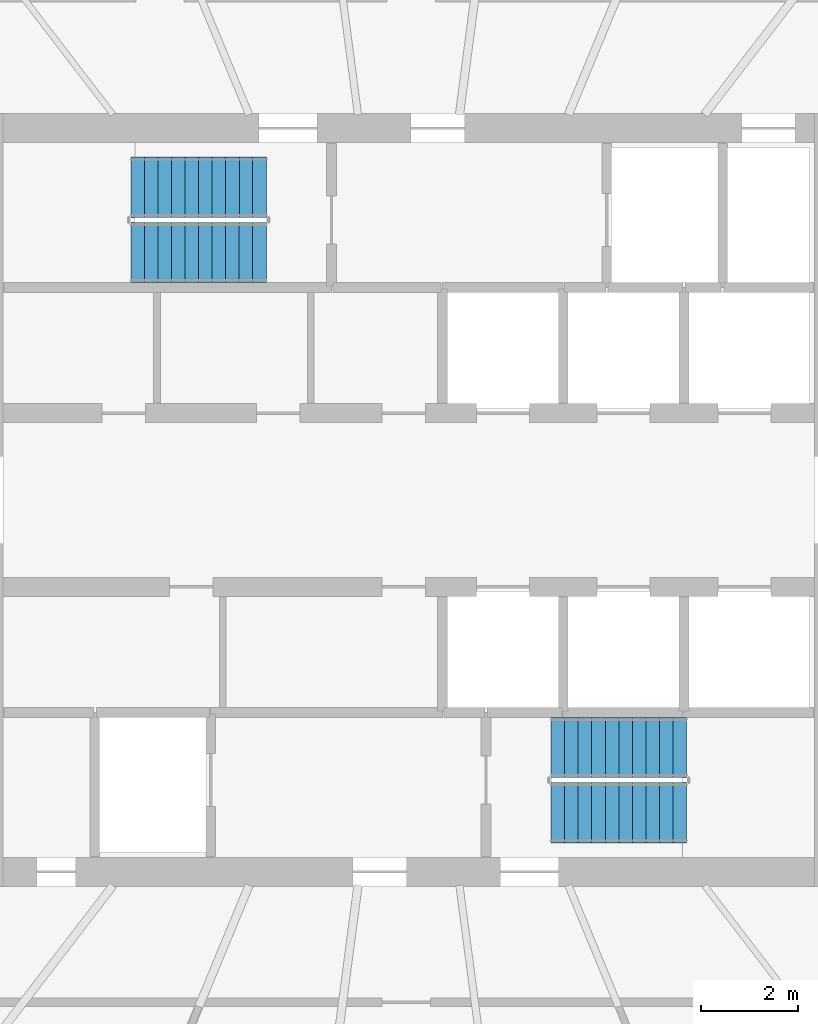
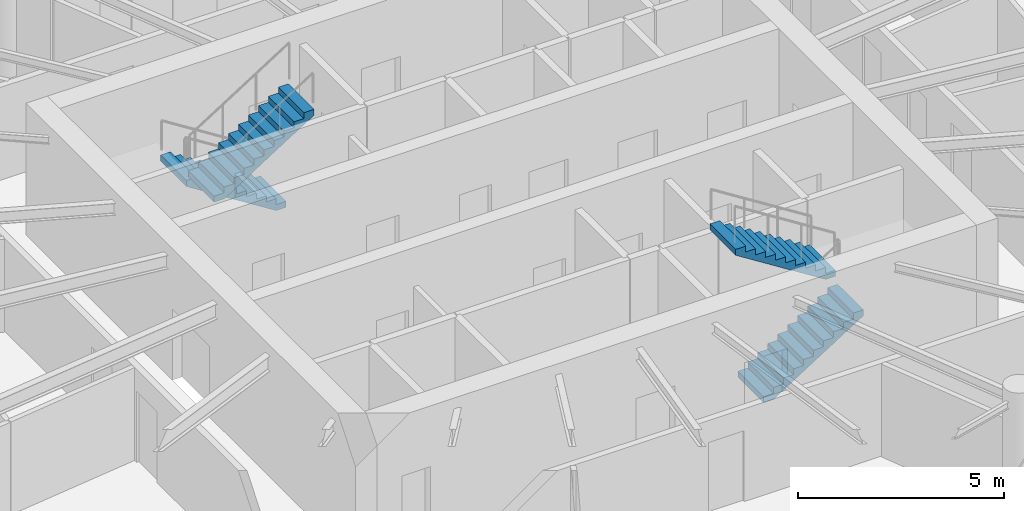
# One storey, part 11 of 13: 4 stair flights, 2 elements without a shape of their own.
"""IFC4 building model written with IfcOpenShell, lengths in metres."""

from ifc_helpers import new_model, si_unit, direction, frame, origin, place, context, subcontext, project, spatial, line, indexed_curve, outline, extrude, material, type_object, element, aggregate, save


model = new_model("IFC4")

# Units and contexts
model_context = context("Model", 3, precision=1e-05, world=origin(), true_north=direction((0.0, 1.0)))
body_context = subcontext(model_context, "Body", "Model", "MODEL_VIEW")
ifc_project = project(units=[si_unit("LENGTHUNIT", "METRE"), si_unit("AREAUNIT", "SQUARE_METRE"), si_unit("VOLUMEUNIT", "CUBIC_METRE"), si_unit("PLANEANGLEUNIT", "RADIAN"), si_unit("MASSUNIT", "GRAM", prefix="KILO")], contexts=[model_context])

# Site, building, storey
site_placement = place(None, origin())
site = spatial("IfcSite", under=ifc_project, at=site_placement, CompositionType="ELEMENT")
building_placement = place(site_placement, origin())
building = spatial("IfcBuilding", under=site, at=building_placement, Name="Spindrift Exchange Tower", CompositionType="ELEMENT")
storey_placement = place(building_placement, frame((0.0, 0.0, 261.800048828125)))
storey = spatial("IfcBuildingStorey", under=building, at=storey_placement, Name="L64", CompositionType="ELEMENT", Elevation=261.800048828125)

# Stair, stair flights
ifc_material = material(Name="Concrete 50 MPa", Category="concrete")
stair_type = type_object("IfcStairType", Name="ST-1250-R177", PredefinedType="HALF_TURN_STAIR", material=ifc_material)
stair_1_placement = place(storey_placement, origin())
stair_1 = element("IfcStair", 1, at=stair_1_placement, inside=storey, type_object=stair_type, Name="L64 Exit stair ST1", PredefinedType="HALF_TURN_STAIR")
stair_flight_type = type_object("IfcStairFlightType", Name="STF-1250-R177", PredefinedType="STRAIGHT", material=ifc_material)
stair_flight_1_placement = place(storey_placement, frame((49.050048828125, 54.47509765625, 0.0), z_axis=(0.0, 0.0, 1.0), x_axis=(-1.0, 0.0, 0.0)))
stair_flight_1 = element("IfcStairFlight", 2, at=stair_flight_1_placement, type_object=stair_flight_type, Name="ST1 flight 1", NumberOfRisers=11, NumberOfTreads=10, PredefinedType="STRAIGHT", RiserHeight=0.177272727, TreadLength=0.28, context=body_context, shape_type="SweptSolid", body=[
    extrude(outline(indexed_curve([(0.0, 0.0), (0.0, 0.177734375), (0.2802734375, 0.177734375), (0.2802734375, 0.3544921875), (0.5595703125, 0.3544921875), (0.5595703125, 0.5322265625), (0.83984375, 0.5322265625), (0.83984375, 0.708984375), (1.1201171875, 0.708984375), (1.1201171875, 0.88671875), (1.400390625, 0.88671875), (1.400390625, 1.0634765625), (1.6796875, 1.0634765625), (1.6796875, 1.2412109375), (1.9599609375, 1.2412109375), (1.9599609375, 1.41796875), (2.240234375, 1.41796875), (2.240234375, 1.595703125), (2.51953125, 1.595703125), (2.51953125, 1.7724609375), (2.7998046875, 1.7724609375), (2.7998046875, 1.9501953125), (2.7998046875, 1.595703125), (0.2802734375, 0.0)], segments=[line(1, 2, 3, 4, 5, 6, 7, 8, 9, 10, 11, 12, 13, 14, 15, 16, 17, 18, 19, 20, 21, 22, 23, 24, 1)], self_intersect=False)), frame((0.0, 0.625, 0.0), z_axis=(0.0, -1.0, 0.0), x_axis=(1.0, 0.0, 0.0)), (0.0, 0.0, 1.0), 1.25),
])
stair_flight_2_placement = place(storey_placement, frame((46.25, 53.125, 1.949951171875), z_axis=(0.0, 0.0, 1.0), x_axis=(1.0, 0.0, 0.0)))
stair_flight_2 = element("IfcStairFlight", 3, at=stair_flight_2_placement, type_object=stair_flight_type, Name="ST1 flight 2", NumberOfRisers=11, NumberOfTreads=10, PredefinedType="STRAIGHT", RiserHeight=0.177272727, TreadLength=0.28, context=body_context, shape_type="SweptSolid", body=[
    extrude(outline(indexed_curve([(0.0, 0.0), (0.0, 0.177734375), (0.2802734375, 0.177734375), (0.2802734375, 0.3544921875), (0.5595703125, 0.3544921875), (0.5595703125, 0.5322265625), (0.83984375, 0.5322265625), (0.83984375, 0.708984375), (1.1201171875, 0.708984375), (1.1201171875, 0.88671875), (1.400390625, 0.88671875), (1.400390625, 1.0634765625), (1.6796875, 1.0634765625), (1.6796875, 1.2412109375), (1.9599609375, 1.2412109375), (1.9599609375, 1.41796875), (2.240234375, 1.41796875), (2.240234375, 1.595703125), (2.51953125, 1.595703125), (2.51953125, 1.7724609375), (2.7998046875, 1.7724609375), (2.7998046875, 1.9501953125), (2.7998046875, 1.595703125), (0.2802734375, 0.0)], segments=[line(1, 2, 3, 4, 5, 6, 7, 8, 9, 10, 11, 12, 13, 14, 15, 16, 17, 18, 19, 20, 21, 22, 23, 24, 1)], self_intersect=False)), frame((0.0, 0.625, 0.0), z_axis=(0.0, -1.0, 0.0), x_axis=(1.0, 0.0, 0.0)), (0.0, 0.0, 1.0), 1.25),
])
aggregate(stair_1, [stair_flight_1, stair_flight_2])

stair_2_placement = place(storey_placement, origin())
stair_2 = element("IfcStair", 4, at=stair_2_placement, inside=storey, type_object=stair_type, Name="L64 Exit stair ST2", PredefinedType="HALF_TURN_STAIR")
stair_flight_3_placement = place(storey_placement, frame((54.949951171875, 41.52490234375, 0.0), z_axis=(0.0, 0.0, 1.0), x_axis=(1.0, 0.0, 0.0)))
stair_flight_3 = element("IfcStairFlight", 5, at=stair_flight_3_placement, type_object=stair_flight_type, Name="ST2 flight 1", NumberOfRisers=11, NumberOfTreads=10, PredefinedType="STRAIGHT", RiserHeight=0.177272727, TreadLength=0.28, context=body_context, shape_type="SweptSolid", body=[
    extrude(outline(indexed_curve([(0.0, 0.0), (0.0, 0.177734375), (0.2802734375, 0.177734375), (0.2802734375, 0.3544921875), (0.5595703125, 0.3544921875), (0.5595703125, 0.5322265625), (0.83984375, 0.5322265625), (0.83984375, 0.708984375), (1.1201171875, 0.708984375), (1.1201171875, 0.88671875), (1.400390625, 0.88671875), (1.400390625, 1.0634765625), (1.6796875, 1.0634765625), (1.6796875, 1.2412109375), (1.9599609375, 1.2412109375), (1.9599609375, 1.41796875), (2.240234375, 1.41796875), (2.240234375, 1.595703125), (2.51953125, 1.595703125), (2.51953125, 1.7724609375), (2.7998046875, 1.7724609375), (2.7998046875, 1.9501953125), (2.7998046875, 1.595703125), (0.2802734375, 0.0)], segments=[line(1, 2, 3, 4, 5, 6, 7, 8, 9, 10, 11, 12, 13, 14, 15, 16, 17, 18, 19, 20, 21, 22, 23, 24, 1)], self_intersect=False)), frame((0.0, 0.625, 0.0), z_axis=(0.0, -1.0, 0.0), x_axis=(1.0, 0.0, 0.0)), (0.0, 0.0, 1.0), 1.25),
])
stair_flight_4_placement = place(storey_placement, frame((57.75, 42.875, 1.949951171875), z_axis=(0.0, 0.0, 1.0), x_axis=(-1.0, 0.0, 0.0)))
stair_flight_4 = element("IfcStairFlight", 6, at=stair_flight_4_placement, type_object=stair_flight_type, Name="ST2 flight 2", NumberOfRisers=11, NumberOfTreads=10, PredefinedType="STRAIGHT", RiserHeight=0.177272727, TreadLength=0.28, context=body_context, shape_type="SweptSolid", body=[
    extrude(outline(indexed_curve([(0.0, 0.0), (0.0, 0.177734375), (0.2802734375, 0.177734375), (0.2802734375, 0.3544921875), (0.5595703125, 0.3544921875), (0.5595703125, 0.5322265625), (0.83984375, 0.5322265625), (0.83984375, 0.708984375), (1.1201171875, 0.708984375), (1.1201171875, 0.88671875), (1.400390625, 0.88671875), (1.400390625, 1.0634765625), (1.6796875, 1.0634765625), (1.6796875, 1.2412109375), (1.9599609375, 1.2412109375), (1.9599609375, 1.41796875), (2.240234375, 1.41796875), (2.240234375, 1.595703125), (2.51953125, 1.595703125), (2.51953125, 1.7724609375), (2.7998046875, 1.7724609375), (2.7998046875, 1.9501953125), (2.7998046875, 1.595703125), (0.2802734375, 0.0)], segments=[line(1, 2, 3, 4, 5, 6, 7, 8, 9, 10, 11, 12, 13, 14, 15, 16, 17, 18, 19, 20, 21, 22, 23, 24, 1)], self_intersect=False)), frame((0.0, 0.625, 0.0), z_axis=(0.0, -1.0, 0.0), x_axis=(1.0, 0.0, 0.0)), (0.0, 0.0, 1.0), 1.25),
])
aggregate(stair_2, [stair_flight_3, stair_flight_4])

save(model, "model.ifc")
